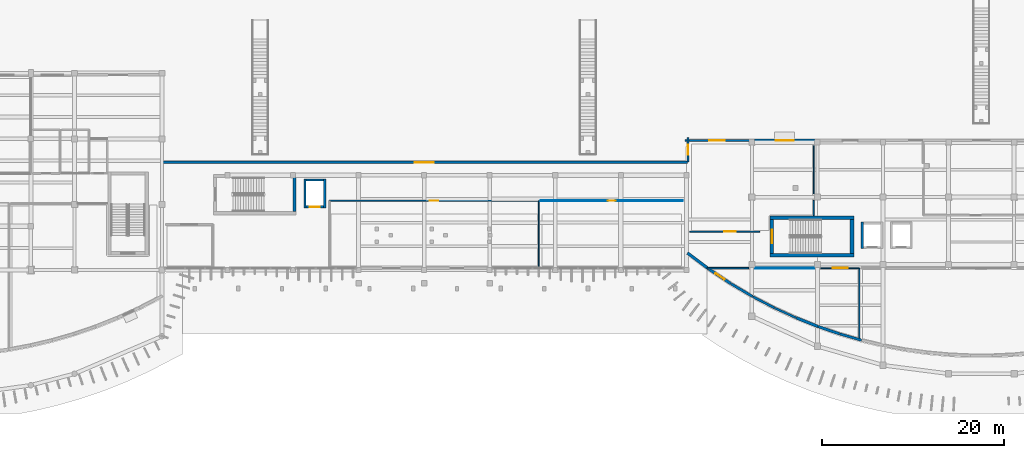
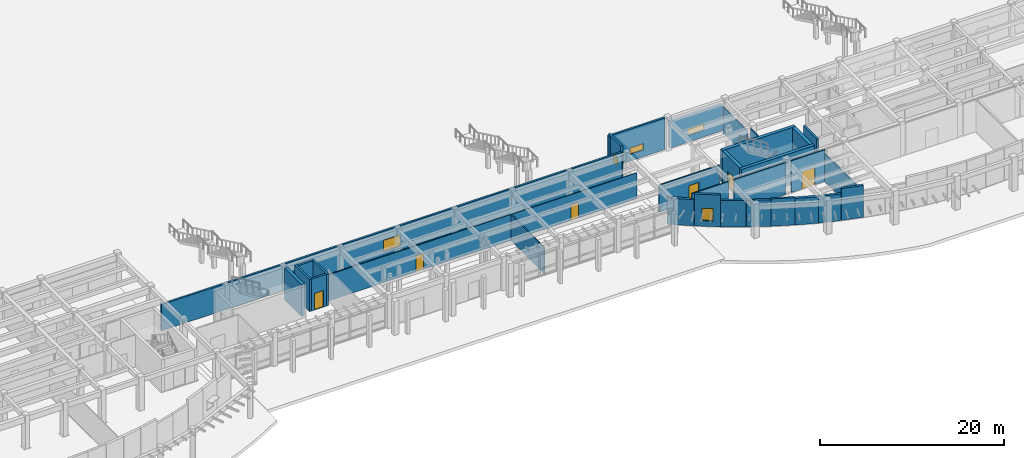
# One storey, part 31 of 58: 32 walls, 6 doors, 5 windows, 11 openings.
"""IFC4 building model written with IfcOpenShell, lengths in metres."""

import ifcopenshell
import ifcopenshell.guid

model = None  # the IFC model being written
_history = None  # IfcOwnerHistory: only IFC2X3 demands one
_inside = {}  # id of a spatial element -> (the spatial element, [elements in it])
_under = {}  # id of a project, library or spatial element -> (it, [spatial elements below it])
_declared = {}  # id of a project -> (the project, [libraries it declares])
_typed = {}  # id of a type object -> (the type object, [elements of that type])
_made_of = {}  # id of a material, layer set ... -> (it, [elements and type objects made of it])


def new_model(schema):
    """Start an empty IFC model of exactly this schema.

    Asked for "IFC4X3", IfcOpenShell would pick the latest addendum, in which some entities
    have other attributes; the version numbers below select the first issue.
    IFC2X3 requires an IfcOwnerHistory on every rooted entity: one is made here for all.
    """
    global model, _history
    if schema == "IFC4X3":
        model = ifcopenshell.file(schema_version=(4, 3, 0, 0))
    else:
        model = ifcopenshell.file(schema=schema)
    _inside.clear()
    _under.clear()
    _declared.clear()
    _typed.clear()
    _made_of.clear()
    _history = None
    if model.schema == "IFC2X3":
        org = make("IfcOrganization", Name="unknown")
        user = make(
            "IfcPersonAndOrganization",
            ThePerson=make("IfcPerson", FamilyName="unknown"),
            TheOrganization=org,
        )
        app = make(
            "IfcApplication",
            ApplicationDeveloper=org,
            Version="unknown",
            ApplicationFullName="unknown",
            ApplicationIdentifier="unknown",
        )
        _history = make(
            "IfcOwnerHistory",
            OwningUser=user,
            OwningApplication=app,
            ChangeAction="ADDED",
            CreationDate=0,
        )
    return model


def make(cls, **values):
    """One entity of the class cls with the attributes given. An attribute that is None is left unset."""
    return model.create_entity(
        cls, **{name: value for name, value in values.items() if value is not None}
    )


def rooted(cls, **values):
    """An entity with a GlobalId (a new one), such as an element, a storey or a relation."""
    return make(cls, GlobalId=ifcopenshell.guid.new(), OwnerHistory=_history, **values)


def si_unit(unit_type, name, prefix=None):
    """IfcSIUnit, for example si_unit("LENGTHUNIT", "METRE", prefix="MILLI")."""
    return make("IfcSIUnit", UnitType=unit_type, Prefix=prefix, Name=name)


def assignment(units):
    """IfcUnitAssignment: the units of a project."""
    return None if units is None else make("IfcUnitAssignment", Units=units)


def point(xyz):
    """IfcCartesianPoint."""
    return None if xyz is None else make("IfcCartesianPoint", Coordinates=xyz)


def direction(xyz):
    """IfcDirection."""
    return None if xyz is None else make("IfcDirection", DirectionRatios=xyz)


def frame(location, z_axis=None, x_axis=None):
    """IfcAxis2Placement3D, a coordinate frame: its origin and axes. An axis left out is left unset."""
    return make(
        "IfcAxis2Placement3D",
        Location=point(location),
        Axis=direction(z_axis),
        RefDirection=direction(x_axis),
    )


def frame_2d(location, x_axis=None):
    """IfcAxis2Placement2D, a coordinate frame in the plane: its origin and x axis."""
    return make(
        "IfcAxis2Placement2D", Location=point(location), RefDirection=direction(x_axis)
    )


def origin():
    """The frame at (0, 0, 0) with its axes left unset."""
    return frame((0.0, 0.0, 0.0))


def place(relative_to, where):
    """IfcLocalPlacement: puts the frame where relative to a parent placement (None: the world)."""
    return make(
        "IfcLocalPlacement", PlacementRelTo=relative_to, RelativePlacement=where
    )


def context(
    kind, dimensions, precision=None, world=None, true_north=None, identifier=None
):
    """IfcGeometricRepresentationContext, for example the 3D "Model" context."""
    return make(
        "IfcGeometricRepresentationContext",
        ContextIdentifier=identifier,
        ContextType=kind,
        CoordinateSpaceDimension=dimensions,
        Precision=precision,
        WorldCoordinateSystem=world,
        TrueNorth=true_north,
    )


def subcontext(parent, identifier, kind, view, scale=None):
    """IfcGeometricRepresentationSubContext, for example "Body" below "Model"."""
    return make(
        "IfcGeometricRepresentationSubContext",
        ContextIdentifier=identifier,
        ContextType=kind,
        ParentContext=parent,
        TargetScale=scale,
        TargetView=view,
    )


def project(units=None, contexts=None):
    """IfcProject with its units and contexts."""
    return rooted(
        "IfcProject",
        Name="project",
        RepresentationContexts=contexts,
        UnitsInContext=assignment(units),
    )


def spatial(cls, under=None, at=None, **own):
    """A site, building, storey or space (cls), placed at a placement, below another one or the project."""
    s = rooted(cls, ObjectPlacement=at, **own)
    if under is not None:
        _under.setdefault(under.id(), (under, []))[1].append(s)
    return s


def profile(cls, at=None, kind="AREA", **sizes):
    """A parametric profile (cls). Its sizes go by their IFC names, for example OverallWidth=200.0."""
    return make(cls, ProfileType=kind, Position=at, **sizes)


def rectangle(**sizes):
    """IfcRectangleProfileDef."""
    return profile("IfcRectangleProfileDef", **sizes)


def extrude(swept, where, along, depth):
    """IfcExtrudedAreaSolid: the profile swept, set in the frame where, extruded along a direction by depth."""
    return make(
        "IfcExtrudedAreaSolid",
        SweptArea=swept,
        Position=where,
        ExtrudedDirection=direction(along),
        Depth=depth,
    )


def shape(context_of_items, identifier, shape_type, items):
    """IfcShapeRepresentation: the items that make up one representation, for example the "Body"."""
    return make(
        "IfcShapeRepresentation",
        ContextOfItems=context_of_items,
        RepresentationIdentifier=identifier,
        RepresentationType=shape_type,
        Items=items,
    )


def material(Name=None, Category=None):
    """IfcMaterial."""
    return make("IfcMaterial", Name=Name, Category=Category)


def layer(
    of_material, thickness, ventilated=None, Name=None, Category=None, Priority=None
):
    """IfcMaterialLayer: one layer of a wall or slab, of a material (None: an air gap)."""
    return make(
        "IfcMaterialLayer",
        Material=of_material,
        LayerThickness=thickness,
        IsVentilated=ventilated,
        Name=Name,
        Category=Category,
        Priority=Priority,
    )


def layer_set(layers, Name=None):
    """IfcMaterialLayerSet."""
    return make("IfcMaterialLayerSet", MaterialLayers=layers, LayerSetName=Name)


def made_of(thing, what):
    """Note that an element or type object is made of a material, layer set ...; save() writes the relation."""
    if what is not None:
        _made_of.setdefault(what.id(), (what, []))[1].append(thing)
    return thing


def type_object(cls, material=None, **own):
    """A type object (cls), such as IfcWallType, which elements share."""
    return made_of(rooted(cls, **own), material)


def element(
    cls,
    number,
    at=None,
    inside=None,
    cuts=None,
    type_object=None,
    material=None,
    context=None,
    identifier="Body",
    shape_type=None,
    held_by="IfcProductDefinitionShape",
    body=None,
    shapes=None,
    **own,
):
    """One element of the class cls, such as IfcWall. Its Tag is "e" and its number.

    at: its placement. inside: the storey or other place that contains it. cuts: it is an
    opening in that element (IfcRelVoidsElement). A single representation is given by context,
    identifier, shape_type and body (its items); several are given by shapes. held_by: the class
    of the entity that holds the representations. save() writes the other relations.
    """
    e = rooted(cls, Tag="e%d" % number, ObjectPlacement=at, **own)
    if body is not None:
        shapes = [shape(context, identifier, shape_type, body)]
    if shapes is not None:
        e.Representation = make(held_by, Representations=shapes)
    if inside is not None:
        _inside.setdefault(inside.id(), (inside, []))[1].append(e)
    if cuts is not None:
        rooted(
            "IfcRelVoidsElement", RelatingBuildingElement=cuts, RelatedOpeningElement=e
        )
    if type_object is not None:
        _typed.setdefault(type_object.id(), (type_object, []))[1].append(e)
    return made_of(e, material)


def fill(opening, filler):
    """IfcRelFillsElement: the door or window that sits in an opening."""
    return rooted(
        "IfcRelFillsElement",
        RelatingOpeningElement=opening,
        RelatedBuildingElement=filler,
    )


def aggregate(whole, parts):
    """IfcRelAggregates: a whole, such as a stair, and the parts it consists of."""
    return rooted("IfcRelAggregates", RelatingObject=whole, RelatedObjects=parts)


def save(model, path):
    """Write the relations noted so far, then the file.

    IfcRelAggregates (storeys below a building ...), IfcRelContainedInSpatialStructure (elements
    in a storey), IfcRelDefinesByType, IfcRelAssociatesMaterial and IfcRelDeclares: one each for
    every whole, place, type object, material and project.
    """
    for whole, parts in _under.values():
        aggregate(whole, parts)
    for where, things in _inside.values():
        rooted(
            "IfcRelContainedInSpatialStructure",
            RelatedElements=things,
            RelatingStructure=where,
        )
    for kind, things in _typed.values():
        rooted("IfcRelDefinesByType", RelatedObjects=things, RelatingType=kind)
    for what, things in _made_of.values():
        rooted("IfcRelAssociatesMaterial", RelatedObjects=things, RelatingMaterial=what)
    for by, libraries in _declared.values():
        rooted("IfcRelDeclares", RelatingContext=by, RelatedDefinitions=libraries)
    model.write(path)


model = new_model("IFC4")

# Units and contexts
model_context = context("Model", 3, precision=1e-05, world=origin(), true_north=direction((0.0, 1.0)))
body_context = subcontext(model_context, "Body", "Model", "MODEL_VIEW")
ifc_project = project(units=[si_unit("LENGTHUNIT", "METRE"), si_unit("AREAUNIT", "SQUARE_METRE"), si_unit("VOLUMEUNIT", "CUBIC_METRE"), si_unit("PLANEANGLEUNIT", "RADIAN"), si_unit("MASSUNIT", "GRAM", prefix="KILO")], contexts=[model_context])

# Site, building, storey
site_placement = place(None, origin())
site = spatial("IfcSite", under=ifc_project, at=site_placement, CompositionType="ELEMENT")
building_placement = place(site_placement, origin())
building = spatial("IfcBuilding", under=site, at=building_placement, Name="Brisavento Harbour Community Centre", CompositionType="ELEMENT")
storey_placement = place(building_placement, origin())
storey = spatial("IfcBuildingStorey", under=building, at=storey_placement, Name="L00", CompositionType="ELEMENT", Elevation=0.0)

# Walls
ifc_material_1 = material(Name="Concrete C40/50", Category="concrete")
ifc_layer_1 = layer(ifc_material_1, 0.35009765625, Name="Concrete C40/50")
ifc_layer_set_1 = layer_set([ifc_layer_1], Name="Concrete C40/50")
wall_type_1 = type_object("IfcWallType", Name="WL-CORE-350", PredefinedType="SHEAR", material=ifc_layer_set_1)
wall_1_placement = place(storey_placement, frame((64.97509765625, 20.800048828125, 0.0), z_axis=(0.0, 0.0, 1.0), x_axis=(0.0, 1.0, 0.0)))
element("IfcWall", 1, at=wall_1_placement, inside=storey, type_object=wall_type_1, Name="L00 core C2 shear wall F", PredefinedType="SHEAR", context=body_context, shape_type="SweptSolid", body=[
    extrude(rectangle(XDim=3.75, YDim=0.35009765625, at=frame_2d((1.875, 0.0))), origin(), (0.0, 0.0, 1.0), 4.239990234375),
])
ifc_layer_2 = layer(ifc_material_1, 0.39990234375, Name="Concrete C40/50")
ifc_layer_set_2 = layer_set([ifc_layer_2], Name="Concrete C40/50")
wall_type_2 = type_object("IfcWallType", Name="WL-CORE-400", PredefinedType="SHEAR", material=ifc_layer_set_2)
for number, where, z_axis, x_axis, name in (
    (2, (117.199951171875, 16.0, 0.0), (0.0, 0.0, 1.0), (1.0, 0.0, 0.0), "L00 core C3A shear wall L"),
    (3, (126.39990234375, 20.14990234375, 0.0), (0.0, 0.0, 1.0), (-1.0, 0.0, 0.0), "L00 core C3A shear wall R"),
):
    element("IfcWall", number, at=place(storey_placement, frame(where, z_axis=z_axis, x_axis=x_axis)), inside=storey, type_object=wall_type_2, Name=name, PredefinedType="SHEAR", context=body_context, shape_type="SweptSolid", body=[
        extrude(rectangle(XDim=9.199951171875, YDim=0.39990234375, at=frame_2d((4.60009765625, 0.0))), origin(), (0.0, 0.0, 1.0), 4.239990234375),
    ])
wall_2_placement = place(storey_placement, frame((126.199951171875, 16.199951171875, 0.0), z_axis=(0.0, 0.0, 1.0), x_axis=(0.0, 1.0, 0.0)))
element("IfcWall", 4, at=wall_2_placement, inside=storey, type_object=wall_type_2, Name="L00 core C3A shear wall F", PredefinedType="SHEAR", context=body_context, shape_type="SweptSolid", body=[
    extrude(rectangle(XDim=3.75, YDim=0.39990234375, at=frame_2d((1.875, 0.0))), origin(), (0.0, 0.0, 1.0), 4.239990234375),
])

# Wall, opening, door
wall_3_placement = place(storey_placement, frame((117.39990234375, 16.199951171875, 0.0), z_axis=(0.0, 0.0, 1.0), x_axis=(0.0, 1.0, 0.0)))
wall_3 = element("IfcWall", 5, at=wall_3_placement, inside=storey, type_object=wall_type_2, Name="L00 core C3A shear wall N", PredefinedType="SHEAR", context=body_context, shape_type="SweptSolid", body=[
    extrude(rectangle(XDim=3.75, YDim=0.39990234375, at=frame_2d((1.875, 0.0))), origin(), (0.0, 0.0, 1.0), 4.239990234375),
])
opening_1_placement = place(wall_3_placement, frame((1.125, 0.0, 0.0)))
opening_1 = element("IfcOpeningElement", 6, at=opening_1_placement, cuts=wall_3, Name="Opening SD-01", PredefinedType="OPENING", context=body_context, shape_type="SweptSolid", body=[
    extrude(rectangle(XDim=1.5, YDim=2.199951171875, at=frame_2d((0.75, 1.10009765625))), frame((0.0, 0.2099609375, 0.0), z_axis=(0.0, -1.0, 0.0), x_axis=(1.0, 0.0, 0.0)), (0.0, 0.0, 1.0), 0.419921875),
])
ifc_material_2 = material(Name="Fire-rated steel door assembly", Category="steel")
door_type_1 = type_object("IfcDoorType", Name="DR-STAIR-150x220", OperationType="NOTDEFINED", PredefinedType="DOOR", material=ifc_material_2)
door_1_placement = place(opening_1_placement, origin())
door_1 = element("IfcDoor", 7, at=door_1_placement, inside=storey, type_object=door_type_1, Name="L00 exit stair ST-04 fire door", OperationType="SINGLE_SWING_RIGHT", OverallHeight=2.199951171875, OverallWidth=1.5, PredefinedType="DOOR", context=body_context, shape_type="SweptSolid", body=[
    extrude(rectangle(XDim=1.5, YDim=2.199951171875, at=frame_2d((0.75, 1.10009765625))), frame((0.0, 0.02490234375, 0.0), z_axis=(0.0, -1.0, 0.0), x_axis=(1.0, 0.0, 0.0)), (0.0, 0.0, 1.0), 0.050048828125),
])
fill(opening_1, door_1)

# Wall, opening, window
ifc_material_3 = material(Name="Terracotta masonry unit", Category="masonry")
ifc_layer_3 = layer(ifc_material_3, 0.239990234375, Name="Terracotta masonry unit")
ifc_layer_set_3 = layer_set([ifc_layer_3], Name="Terracotta masonry unit")
wall_type_3 = type_object("IfcWallType", Name="WL-EXT-240", PredefinedType="SOLIDWALL", material=ifc_layer_set_3)
wall_4_placement = place(storey_placement, frame((50.25, 26.219970703125, 0.0), z_axis=(0.0, 0.0, 1.0), x_axis=(1.0, 0.0, 0.0)))
wall_4 = element("IfcWall", 8, at=wall_4_placement, inside=storey, type_object=wall_type_3, Name="L00 V2 exterior wall 0103", PredefinedType="SOLIDWALL", context=body_context, shape_type="SweptSolid", body=[
    extrude(rectangle(XDim=57.89990234375, YDim=0.239990234375, at=frame_2d((28.949951171875, 0.0))), origin(), (0.0, 0.0, 1.0), 3.47998046875),
])
opening_2_placement = place(wall_4_placement, frame((27.89990234375, 0.0, 0.75)))
opening_2 = element("IfcOpeningElement", 9, at=opening_2_placement, cuts=wall_4, Name="Opening W-17", PredefinedType="OPENING", context=body_context, shape_type="SweptSolid", body=[
    extrude(rectangle(XDim=2.10009765625, YDim=1.5, at=frame_2d((1.050048828125, 0.75))), frame((0.0, 0.1298828125, 0.0), z_axis=(0.0, -1.0, 0.0), x_axis=(1.0, 0.0, 0.0)), (0.0, 0.0, 1.0), 0.260009765625),
])
ifc_material_4 = material(Name="Solar-control laminated low-E glass", Category="glass")
window_type_1 = type_object("IfcWindowType", Name="WIN-CAS-17", PartitioningType="SINGLE_PANEL", PredefinedType="WINDOW", material=ifc_material_4)
window_1_placement = place(opening_2_placement, origin())
window_1 = element("IfcWindow", 10, at=window_1_placement, inside=storey, type_object=window_type_1, Name="L00 V2 impact casement window 0017", OverallHeight=1.5, OverallWidth=2.10009765625, PartitioningType="SINGLE_PANEL", PredefinedType="WINDOW", context=body_context, shape_type="SweptSolid", body=[
    extrude(rectangle(XDim=2.10009765625, YDim=1.5, at=frame_2d((1.050048828125, 0.75))), frame((0.0, 0.030029296875, 0.0), z_axis=(0.0, -1.0, 0.0), x_axis=(1.0, 0.0, 0.0)), (0.0, 0.0, 1.0), 0.06005859375),
])
fill(opening_2, window_1)

# Wall
wall_5_placement = place(storey_placement, frame((120.058349609375, 9.139892578125, 0.0), z_axis=(0.0, 0.0, 1.0), x_axis=(-0.90959706885, 0.415491482873, 0.0)))
element("IfcWall", 11, at=wall_5_placement, inside=storey, type_object=wall_type_3, Name="L00 V3 exterior wall 0108", PredefinedType="SOLIDWALL", context=body_context, shape_type="SweptSolid", body=[
    extrude(rectangle(XDim=2.6025390625, YDim=0.239990234375, at=frame_2d((1.30126953125, 0.0))), origin(), (0.0, 0.0, 1.0), 3.639892578125),
])

# Wall, opening, window
wall_6_placement = place(storey_placement, frame((107.85009765625, 28.6201171875, 0.0), z_axis=(0.0, 0.0, 1.0), x_axis=(1.0, 0.0, 0.0)))
wall_6 = element("IfcWall", 12, at=wall_6_placement, inside=storey, type_object=wall_type_3, Name="L00 V3 exterior wall 0133", PredefinedType="SOLIDWALL", context=body_context, shape_type="SweptSolid", body=[
    extrude(rectangle(XDim=7.06494140625, YDim=0.239990234375, at=frame_2d((3.532470703125, 0.0))), origin(), (0.0, 0.0, 1.0), 4.239990234375),
])
opening_3_placement = place(wall_6_placement, frame((2.6826171875, 0.0, 0.89990234375)))
opening_3 = element("IfcOpeningElement", 13, at=opening_3_placement, cuts=wall_6, Name="Opening W-35", PredefinedType="OPENING", context=body_context, shape_type="SweptSolid", body=[
    extrude(rectangle(XDim=1.699951171875, YDim=0.85009765625, at=frame_2d((0.85009765625, 0.425048828125))), frame((0.0, 0.1298828125, 0.0), z_axis=(0.0, -1.0, 0.0), x_axis=(1.0, 0.0, 0.0)), (0.0, 0.0, 1.0), 0.260009765625),
])
window_type_2 = type_object("IfcWindowType", Name="WIN-CAS-35", PartitioningType="SINGLE_PANEL", PredefinedType="WINDOW", material=ifc_material_4)
window_2_placement = place(opening_3_placement, origin())
window_2 = element("IfcWindow", 14, at=window_2_placement, inside=storey, type_object=window_type_2, Name="L00 V3 impact casement window 0035", OverallHeight=0.85009765625, OverallWidth=1.699951171875, PartitioningType="SINGLE_PANEL", PredefinedType="WINDOW", context=body_context, shape_type="SweptSolid", body=[
    extrude(rectangle(XDim=1.699951171875, YDim=0.85009765625, at=frame_2d((0.85009765625, 0.425048828125))), frame((0.0, 0.030029296875, 0.0), z_axis=(0.0, -1.0, 0.0), x_axis=(1.0, 0.0, 0.0)), (0.0, 0.0, 1.0), 0.06005859375),
])
fill(opening_3, window_2)

# Wall
ifc_layer_4 = layer(ifc_material_3, 0.260009765625, Name="Terracotta masonry unit")
ifc_layer_set_4 = layer_set([ifc_layer_4], Name="Terracotta masonry unit")
wall_type_4 = type_object("IfcWallType", Name="WL-EXT-260", PredefinedType="SOLIDWALL", material=ifc_layer_set_4)
wall_7_placement = place(storey_placement, frame((117.6669921875, 10.23291015625, 0.0), z_axis=(0.0, 0.0, 1.0), x_axis=(-0.887010077413, 0.461750065044, 0.0)))
element("IfcWall", 15, at=wall_7_placement, inside=storey, type_object=wall_type_4, Name="L00 V3 exterior wall 0107", PredefinedType="SOLIDWALL", context=body_context, shape_type="SweptSolid", body=[
    extrude(rectangle(XDim=2.66943359375, YDim=0.260009765625, at=frame_2d((1.334716796875, 0.0))), origin(), (0.0, 0.0, 1.0), 3.5400390625),
])

# Wall, opening, window
wall_8_placement = place(storey_placement, frame((108.179931640625, 26.25, 0.0), z_axis=(0.0, 0.0, 1.0), x_axis=(0.0, 1.0, 0.0)))
wall_8 = element("IfcWall", 16, at=wall_8_placement, inside=storey, type_object=wall_type_4, Name="L00 V3 exterior wall 0142", PredefinedType="SOLIDWALL", context=body_context, shape_type="SweptSolid", body=[
    extrude(rectangle(XDim=2.699951171875, YDim=0.260009765625, at=frame_2d((1.35009765625, 0.0))), origin(), (0.0, 0.0, 1.0), 4.239990234375),
])
opening_4_placement = place(wall_8_placement, frame((0.824951171875, 0.0, 0.89990234375)))
opening_4 = element("IfcOpeningElement", 17, at=opening_4_placement, cuts=wall_8, Name="Opening W-02", PredefinedType="OPENING", context=body_context, shape_type="SweptSolid", body=[
    extrude(rectangle(XDim=1.050048828125, YDim=1.199951171875, at=frame_2d((0.52490234375, 0.60009765625))), frame((0.0, 0.14013671875, 0.0), z_axis=(0.0, -1.0, 0.0), x_axis=(1.0, 0.0, 0.0)), (0.0, 0.0, 1.0), 0.280029296875),
])
window_type_3 = type_object("IfcWindowType", Name="WIN-CAS-02", PartitioningType="SINGLE_PANEL", PredefinedType="WINDOW", material=ifc_material_4)
window_3_placement = place(opening_4_placement, origin())
window_3 = element("IfcWindow", 18, at=window_3_placement, inside=storey, type_object=window_type_3, Name="L00 V3 impact casement window 0038", OverallHeight=1.199951171875, OverallWidth=1.050048828125, PartitioningType="SINGLE_PANEL", PredefinedType="WINDOW", context=body_context, shape_type="SweptSolid", body=[
    extrude(rectangle(XDim=1.050048828125, YDim=1.199951171875, at=frame_2d((0.52490234375, 0.60009765625))), frame((0.0, 0.030029296875, 0.0), z_axis=(0.0, -1.0, 0.0), x_axis=(1.0, 0.0, 0.0)), (0.0, 0.0, 1.0), 0.06005859375),
])
fill(opening_4, window_3)

# Walls
ifc_material_5 = material(Name="Precast concrete C40/50", Category="concrete")
ifc_layer_5 = layer(ifc_material_5, 0.280029296875, Name="Precast concrete C40/50")
ifc_layer_set_5 = layer_set([ifc_layer_5], Name="Precast concrete C40/50")
wall_type_5 = type_object("IfcWallType", Name="WL-EXT-280", PredefinedType="SOLIDWALL", material=ifc_layer_set_5)
wall_9_placement = place(storey_placement, frame((115.27587890625, 11.478515625, 0.0), z_axis=(0.0, 0.0, 1.0), x_axis=(-0.861415701697, 0.507900569866, 0.0)))
element("IfcWall", 19, at=wall_9_placement, inside=storey, type_object=wall_type_5, Name="L00 V3 exterior wall 0106", PredefinedType="SOLIDWALL", context=body_context, shape_type="SweptSolid", body=[
    extrude(rectangle(XDim=2.75, YDim=0.280029296875, at=frame_2d((1.375, 0.0))), origin(), (0.0, 0.0, 1.0), 3.5400390625),
])
wall_10_placement = place(storey_placement, frame((127.232666015625, 6.681396484375, 0.0), z_axis=(0.0, 0.0, 1.0), x_axis=(-0.960873855282, 0.276986343049, 0.0)))
element("IfcWall", 20, at=wall_10_placement, inside=storey, type_object=wall_type_5, Name="L00 V3 exterior wall 0111", PredefinedType="SOLIDWALL", context=body_context, shape_type="SweptSolid", body=[
    extrude(rectangle(XDim=2.4619140625, YDim=0.280029296875, at=frame_2d((1.23095703125, 0.0))), origin(), (0.0, 0.0, 1.0), 4.239990234375),
])

# Wall, opening, window
ifc_material_6 = material(Name="Concrete C35/45", Category="concrete")
ifc_layer_6 = layer(ifc_material_6, 0.300048828125, Name="Concrete C35/45")
ifc_layer_set_6 = layer_set([ifc_layer_6], Name="Concrete C35/45")
wall_type_6 = type_object("IfcWallType", Name="WL-EXT-300", PredefinedType="SOLIDWALL", material=ifc_layer_set_6)
wall_11_placement = place(storey_placement, frame((112.884765625, 12.888916015625, 0.0), z_axis=(0.0, 0.0, 1.0), x_axis=(-0.83248539698, 0.55404698701, 0.0)))
wall_11 = element("IfcWall", 21, at=wall_11_placement, inside=storey, type_object=wall_type_6, Name="L00 V3 exterior wall 0105", PredefinedType="SOLIDWALL", context=body_context, shape_type="SweptSolid", body=[
    extrude(rectangle(XDim=2.846923828125, YDim=0.300048828125, at=frame_2d((1.42333984375, 0.0))), origin(), (0.0, 0.0, 1.0), 4.239990234375),
])
opening_5_placement = place(wall_11_placement, frame((0.823486328125, 0.0, 0.75)))
opening_5 = element("IfcOpeningElement", 22, at=opening_5_placement, cuts=wall_11, Name="Opening W-19", PredefinedType="OPENING", context=body_context, shape_type="SweptSolid", body=[
    extrude(rectangle(XDim=1.199951171875, YDim=1.64990234375, at=frame_2d((0.60009765625, 0.824951171875))), frame((0.0, 0.16015625, 0.0), z_axis=(0.0, -1.0, 0.0), x_axis=(1.0, 0.0, 0.0)), (0.0, 0.0, 1.0), 0.320068359375),
])
window_type_4 = type_object("IfcWindowType", Name="WIN-CAS-19", PartitioningType="SINGLE_PANEL", PredefinedType="WINDOW", material=ifc_material_4)
window_4_placement = place(opening_5_placement, origin())
window_4 = element("IfcWindow", 23, at=window_4_placement, inside=storey, type_object=window_type_4, Name="L00 V3 impact casement window 0019", OverallHeight=1.64990234375, OverallWidth=1.199951171875, PartitioningType="SINGLE_PANEL", PredefinedType="WINDOW", context=body_context, shape_type="SweptSolid", body=[
    extrude(rectangle(XDim=1.199951171875, YDim=1.64990234375, at=frame_2d((0.60009765625, 0.824951171875))), frame((0.0, 0.030029296875, 0.0), z_axis=(0.0, -1.0, 0.0), x_axis=(1.0, 0.0, 0.0)), (0.0, 0.0, 1.0), 0.06005859375),
])
fill(opening_5, window_4)

# Walls
wall_12_placement = place(storey_placement, frame((124.84130859375, 7.371337890625, 0.0), z_axis=(0.0, 0.0, 1.0), x_axis=(-0.94636369284, 0.323103328478, 0.0)))
element("IfcWall", 24, at=wall_12_placement, inside=storey, type_object=wall_type_6, Name="L00 V3 exterior wall 0110", PredefinedType="SOLIDWALL", context=body_context, shape_type="SweptSolid", body=[
    extrude(rectangle(XDim=2.500244140625, YDim=0.300048828125, at=frame_2d((1.25, 0.0))), origin(), (0.0, 0.0, 1.0), 3.5400390625),
])
ifc_layer_7 = layer(ifc_material_6, 0.320068359375, Name="Concrete C35/45")
ifc_layer_set_7 = layer_set([ifc_layer_7], Name="Concrete C35/45")
wall_type_7 = type_object("IfcWallType", Name="WL-EXT-320", PredefinedType="SOLIDWALL", material=ifc_layer_set_7)
wall_13_placement = place(storey_placement, frame((110.49365234375, 14.481201171875, 0.0), z_axis=(0.0, 0.0, 1.0), x_axis=(-0.799792449124, 0.600276634831, 0.0)))
element("IfcWall", 25, at=wall_13_placement, inside=storey, type_object=wall_type_7, Name="L00 V3 exterior wall 0104", PredefinedType="SOLIDWALL", context=body_context, shape_type="SweptSolid", body=[
    extrude(rectangle(XDim=2.96484375, YDim=0.320068359375, at=frame_2d((1.482421875, 0.0))), origin(), (0.0, 0.0, 1.0), 3.489990234375),
])
wall_14_placement = place(storey_placement, frame((122.44970703125, 8.188720703125, 0.0), z_axis=(0.0, 0.0, 1.0), x_axis=(-0.929274561032, 0.369389753808, 0.0)))
element("IfcWall", 26, at=wall_14_placement, inside=storey, type_object=wall_type_7, Name="L00 V3 exterior wall 0109", PredefinedType="SOLIDWALL", context=body_context, shape_type="SweptSolid", body=[
    extrude(rectangle(XDim=2.546630859375, YDim=0.320068359375, at=frame_2d((1.2734375, 0.0))), origin(), (0.0, 0.0, 1.0), 3.5400390625),
])

# Wall, opening, window
wall_15_placement = place(storey_placement, frame((115.485107421875, 28.6201171875, 0.0), z_axis=(0.0, 0.0, 1.0), x_axis=(1.0, 0.0, 0.0)))
wall_15 = element("IfcWall", 27, at=wall_15_placement, inside=storey, type_object=wall_type_7, Name="L00 V3 exterior wall 0134", PredefinedType="SOLIDWALL", context=body_context, shape_type="SweptSolid", body=[
    extrude(rectangle(XDim=6.6298828125, YDim=0.320068359375, at=frame_2d((3.31494140625, 0.0))), origin(), (0.0, 0.0, 1.0), 3.5400390625),
])
opening_6_placement = place(wall_15_placement, frame((2.31494140625, 0.0, 0.89990234375)))
opening_6 = element("IfcOpeningElement", 28, at=opening_6_placement, cuts=wall_15, Name="Opening W-36", PredefinedType="OPENING", context=body_context, shape_type="SweptSolid", body=[
    extrude(rectangle(XDim=2.0, YDim=0.85009765625, at=frame_2d((1.0, 0.425048828125))), frame((0.0, 0.169921875, 0.0), z_axis=(0.0, -1.0, 0.0), x_axis=(1.0, 0.0, 0.0)), (0.0, 0.0, 1.0), 0.340087890625),
])
window_type_5 = type_object("IfcWindowType", Name="WIN-CAS-36", PartitioningType="SINGLE_PANEL", PredefinedType="WINDOW", material=ifc_material_4)
window_5_placement = place(opening_6_placement, origin())
window_5 = element("IfcWindow", 29, at=window_5_placement, inside=storey, type_object=window_type_5, Name="L00 V3 impact casement window 0036", OverallHeight=0.85009765625, OverallWidth=2.0, PartitioningType="SINGLE_PANEL", PredefinedType="WINDOW", context=body_context, shape_type="SweptSolid", body=[
    extrude(rectangle(XDim=2.0, YDim=0.85009765625, at=frame_2d((1.0, 0.425048828125))), frame((0.0, 0.030029296875, 0.0), z_axis=(0.0, -1.0, 0.0), x_axis=(1.0, 0.0, 0.0)), (0.0, 0.0, 1.0), 0.06005859375),
])
fill(opening_6, window_5)

# Wall, opening, door
ifc_material_7 = material(Name="Lightweight stud partition", Category="other")
ifc_layer_8 = layer(ifc_material_7, 0.10009765625, Name="Lightweight stud partition")
ifc_layer_set_8 = layer_set([ifc_layer_8], Name="Lightweight stud partition")
wall_type_8 = type_object("IfcWallType", Name="WL-PRT-100", PredefinedType="PARTITIONING", material=ifc_layer_set_8)
wall_16_placement = place(storey_placement, frame((107.60009765625, 22.0, 0.0), z_axis=(0.0, 0.0, 1.0), x_axis=(-1.0, 0.0, 0.0)))
wall_16 = element("IfcWall", 30, at=wall_16_placement, inside=storey, type_object=wall_type_8, Name="L00 Waterfront Cafe partition 0059", PredefinedType="PARTITIONING", context=body_context, shape_type="SweptSolid", body=[
    extrude(rectangle(XDim=15.60009765625, YDim=0.10009765625, at=frame_2d((7.800048828125, 0.0))), origin(), (0.0, 0.0, 1.0), 3.43994140625),
])
opening_7_placement = place(wall_16_placement, frame((7.35009765625, 0.0, 0.0)))
opening_7 = element("IfcOpeningElement", 31, at=opening_7_placement, cuts=wall_16, Name="Opening ID-11", PredefinedType="OPENING", context=body_context, shape_type="SweptSolid", body=[
    extrude(rectangle(XDim=0.89990234375, YDim=2.10009765625, at=frame_2d((0.449951171875, 1.050048828125))), frame((0.0, 0.06005859375, 0.0), z_axis=(0.0, -1.0, 0.0), x_axis=(1.0, 0.0, 0.0)), (0.0, 0.0, 1.0), 0.1201171875),
])
ifc_material_8 = material(Name="Solid-core tropical timber door", Category="wood")
door_type_2 = type_object("IfcDoorType", Name="DR-INT-090x210", OperationType="NOTDEFINED", PredefinedType="DOOR", material=ifc_material_8)
door_2_placement = place(opening_7_placement, origin())
door_2 = element("IfcDoor", 32, at=door_2_placement, inside=storey, type_object=door_type_2, Name="L00 Waterfront Cafe door 0022", OperationType="SINGLE_SWING_LEFT", OverallHeight=2.10009765625, OverallWidth=0.89990234375, PredefinedType="DOOR", context=body_context, shape_type="SweptSolid", body=[
    extrude(rectangle(XDim=0.89990234375, YDim=2.10009765625, at=frame_2d((0.449951171875, 1.050048828125))), frame((0.0, 0.02490234375, 0.0), z_axis=(0.0, -1.0, 0.0), x_axis=(1.0, 0.0, 0.0)), (0.0, 0.0, 1.0), 0.050048828125),
])
fill(opening_7, door_2)

# Walls
wall_17_placement = place(storey_placement, frame((122.034912109375, 14.60009765625, 0.0), z_axis=(0.0, 0.0, 1.0), x_axis=(-1.0, 0.0, 0.0)))
element("IfcWall", 33, at=wall_17_placement, inside=storey, type_object=wall_type_8, Name="L00 Nursery Playroom East partition 0063", PredefinedType="PARTITIONING", context=body_context, shape_type="SweptSolid", body=[
    extrude(rectangle(XDim=6.469970703125, YDim=0.10009765625, at=frame_2d((3.23486328125, 0.0))), origin(), (0.0, 0.0, 1.0), 4.239990234375),
])
ifc_material_9 = material(Name="Gypsum metal-stud partition", Category="other")
ifc_layer_9 = layer(ifc_material_9, 0.1201171875, Name="Gypsum metal-stud partition")
ifc_layer_set_9 = layer_set([ifc_layer_9], Name="Gypsum metal-stud partition")
wall_type_9 = type_object("IfcWallType", Name="WL-PRT-120", PredefinedType="PARTITIONING", material=ifc_layer_set_9)
wall_18_placement = place(storey_placement, frame((91.800048828125, 14.699951171875, 0.0), z_axis=(0.0, 0.0, 1.0), x_axis=(0.0, 1.0, 0.0)))
element("IfcWall", 34, at=wall_18_placement, inside=storey, type_object=wall_type_9, Name="L00 Civic Entrance Concourse partition 0058", PredefinedType="PARTITIONING", context=body_context, shape_type="SweptSolid", body=[
    extrude(rectangle(XDim=7.300048828125, YDim=0.1201171875, at=frame_2d((3.64990234375, 0.0))), origin(), (0.0, 0.0, 1.0), 3.47998046875),
])

# Wall, opening, door
wall_19_placement = place(storey_placement, frame((127.0, 14.60009765625, 0.0), z_axis=(0.0, 0.0, 1.0), x_axis=(-1.0, 0.0, 0.0)))
wall_19 = element("IfcWall", 35, at=wall_19_placement, inside=storey, type_object=wall_type_9, Name="L00 Nursery Playroom East partition 0062", PredefinedType="PARTITIONING", context=body_context, shape_type="SweptSolid", body=[
    extrude(rectangle(XDim=4.235107421875, YDim=0.1201171875, at=frame_2d((2.11767578125, 0.0))), origin(), (0.0, 0.0, 1.0), 4.239990234375),
])
opening_8_placement = place(wall_19_placement, frame((1.29248046875, 0.0, 0.0)))
opening_8 = element("IfcOpeningElement", 36, at=opening_8_placement, cuts=wall_19, Name="Opening ID-02", PredefinedType="OPENING", context=body_context, shape_type="SweptSolid", body=[
    extrude(rectangle(XDim=1.64990234375, YDim=2.300048828125, at=frame_2d((0.824951171875, 1.14990234375))), frame((0.0, 0.070068359375, 0.0), z_axis=(0.0, -1.0, 0.0), x_axis=(1.0, 0.0, 0.0)), (0.0, 0.0, 1.0), 0.14013671875),
])
door_type_3 = type_object("IfcDoorType", Name="DR-INT-165x230", OperationType="NOTDEFINED", PredefinedType="DOOR", material=ifc_material_8)
door_3_placement = place(opening_8_placement, origin())
door_3 = element("IfcDoor", 37, at=door_3_placement, inside=storey, type_object=door_type_3, Name="L00 Nursery Playroom East door 0024", OperationType="SINGLE_SWING_LEFT", OverallHeight=2.300048828125, OverallWidth=1.64990234375, PredefinedType="DOOR", context=body_context, shape_type="SweptSolid", body=[
    extrude(rectangle(XDim=1.64990234375, YDim=2.300048828125, at=frame_2d((0.824951171875, 1.14990234375))), frame((0.0, 0.02490234375, 0.0), z_axis=(0.0, -1.0, 0.0), x_axis=(1.0, 0.0, 0.0)), (0.0, 0.0, 1.0), 0.050048828125),
])
fill(opening_8, door_3)

# Walls
wall_20_placement = place(storey_placement, frame((122.0, 22.764892578125, 0.0), z_axis=(0.0, 0.0, 1.0), x_axis=(0.0, 1.0, 0.0)))
element("IfcWall", 38, at=wall_20_placement, inside=storey, type_object=wall_type_9, Name="L00 Family Early-Years Advisory Room partition 0078", PredefinedType="PARTITIONING", context=body_context, shape_type="SweptSolid", body=[
    extrude(rectangle(XDim=5.295166015625, YDim=0.1201171875, at=frame_2d((2.6474609375, 0.0))), origin(), (0.0, 0.0, 1.0), 3.52001953125),
])
ifc_layer_10 = layer(ifc_material_9, 0.139892578125, Name="Gypsum metal-stud partition")
ifc_layer_set_10 = layer_set([ifc_layer_10], Name="Gypsum metal-stud partition")
wall_type_10 = type_object("IfcWallType", Name="WL-PRT-140", PredefinedType="PARTITIONING", material=ifc_layer_set_10)
wall_21_placement = place(storey_placement, frame((127.0, 6.706787109375, 0.0), z_axis=(0.0, 0.0, 1.0), x_axis=(0.0, 1.0, 0.0)))
element("IfcWall", 39, at=wall_21_placement, inside=storey, type_object=wall_type_10, Name="L00 Nursery Playroom East partition 0065", PredefinedType="PARTITIONING", context=body_context, shape_type="SweptSolid", body=[
    extrude(rectangle(XDim=7.893310546875, YDim=0.139892578125, at=frame_2d((3.94677734375, 0.0))), origin(), (0.0, 0.0, 1.0), 3.719970703125),
])
wall_22_placement = place(storey_placement, frame((122.0, 20.360107421875, 0.0), z_axis=(0.0, 0.0, 1.0), x_axis=(0.0, 1.0, 0.0)))
element("IfcWall", 40, at=wall_22_placement, inside=storey, type_object=wall_type_10, Name="L00 Family Early-Years Advisory Room partition 0077", PredefinedType="PARTITIONING", context=body_context, shape_type="SweptSolid", body=[
    extrude(rectangle(XDim=1.6748046875, YDim=0.139892578125, at=frame_2d((0.83740234375, 0.0))), origin(), (0.0, 0.0, 1.0), 4.239990234375),
])

# Wall, opening, door
ifc_material_10 = material(Name="Moisture-resistant stud partition", Category="other")
ifc_layer_11 = layer(ifc_material_10, 0.14990234375, Name="Moisture-resistant stud partition")
ifc_layer_set_11 = layer_set([ifc_layer_11], Name="Moisture-resistant stud partition")
wall_type_11 = type_object("IfcWallType", Name="WL-PRT-150", PredefinedType="PARTITIONING", material=ifc_layer_set_11)
wall_23_placement = place(storey_placement, frame((91.800048828125, 22.0, 0.0), z_axis=(0.0, 0.0, 1.0), x_axis=(-1.0, 0.0, 0.0)))
wall_23 = element("IfcWall", 41, at=wall_23_placement, inside=storey, type_object=wall_type_11, Name="L00 Civic Entrance Concourse partition 0056", PredefinedType="PARTITIONING", context=body_context, shape_type="SweptSolid", body=[
    extrude(rectangle(XDim=23.0, YDim=0.14990234375, at=frame_2d((11.5, 0.0))), origin(), (0.0, 0.0, 1.0), 3.47998046875),
])
opening_9_placement = place(wall_23_placement, frame((11.02490234375, 0.0, 0.0)))
opening_9 = element("IfcOpeningElement", 42, at=opening_9_placement, cuts=wall_23, Name="Opening ID-10", PredefinedType="OPENING", context=body_context, shape_type="SweptSolid", body=[
    extrude(rectangle(XDim=0.949951171875, YDim=2.14990234375, at=frame_2d((0.47509765625, 1.074951171875))), frame((0.0, 0.0849609375, 0.0), z_axis=(0.0, -1.0, 0.0), x_axis=(1.0, 0.0, 0.0)), (0.0, 0.0, 1.0), 0.169921875),
])
door_type_4 = type_object("IfcDoorType", Name="DR-INT-095x215", OperationType="NOTDEFINED", PredefinedType="DOOR", material=ifc_material_8)
door_4_placement = place(opening_9_placement, origin())
door_4 = element("IfcDoor", 43, at=door_4_placement, inside=storey, type_object=door_type_4, Name="L00 Civic Entrance Concourse door 0021", OperationType="SINGLE_SWING_RIGHT", OverallHeight=2.14990234375, OverallWidth=0.949951171875, PredefinedType="DOOR", context=body_context, shape_type="SweptSolid", body=[
    extrude(rectangle(XDim=0.949951171875, YDim=2.14990234375, at=frame_2d((0.47509765625, 1.074951171875))), frame((0.0, 0.02490234375, 0.0), z_axis=(0.0, -1.0, 0.0), x_axis=(1.0, 0.0, 0.0)), (0.0, 0.0, 1.0), 0.050048828125),
])
fill(opening_9, door_4)

# Wall
wall_24_placement = place(storey_placement, frame((114.8349609375, 14.60009765625, 0.0), z_axis=(0.0, 0.0, 1.0), x_axis=(-1.0, 0.0, 0.0)))
element("IfcWall", 44, at=wall_24_placement, inside=storey, type_object=wall_type_11, Name="L00 Nursery Playroom East partition 0064", PredefinedType="PARTITIONING", context=body_context, shape_type="SweptSolid", body=[
    extrude(rectangle(XDim=4.566162109375, YDim=0.14990234375, at=frame_2d((2.283203125, 0.0))), origin(), (0.0, 0.0, 1.0), 4.239990234375),
])

# Wall, opening, door
wall_25_placement = place(storey_placement, frame((108.39990234375, 18.60009765625, 0.0), z_axis=(0.0, 0.0, 1.0), x_axis=(1.0, 0.0, 0.0)))
wall_25 = element("IfcWall", 45, at=wall_25_placement, inside=storey, type_object=wall_type_11, Name="L00 Family Early-Years Advisory Room partition 0076", PredefinedType="PARTITIONING", context=body_context, shape_type="SweptSolid", body=[
    extrude(rectangle(XDim=7.64013671875, YDim=0.14990234375, at=frame_2d((3.820068359375, 0.0))), origin(), (0.0, 0.0, 1.0), 3.590087890625),
])
opening_10_placement = place(wall_25_placement, frame((3.77001953125, 0.0, 0.0)))
opening_10 = element("IfcOpeningElement", 46, at=opening_10_placement, cuts=wall_25, Name="Opening ID-06", PredefinedType="OPENING", context=body_context, shape_type="SweptSolid", body=[
    extrude(rectangle(XDim=1.25, YDim=2.199951171875, at=frame_2d((0.625, 1.10009765625))), frame((0.0, 0.0849609375, 0.0), z_axis=(0.0, -1.0, 0.0), x_axis=(1.0, 0.0, 0.0)), (0.0, 0.0, 1.0), 0.169921875),
])
door_type_5 = type_object("IfcDoorType", Name="DR-INT-125x220", OperationType="NOTDEFINED", PredefinedType="DOOR", material=ifc_material_8)
door_5_placement = place(opening_10_placement, origin())
door_5 = element("IfcDoor", 47, at=door_5_placement, inside=storey, type_object=door_type_5, Name="L00 Family Early-Years Advisory Room door 0028", OperationType="SINGLE_SWING_LEFT", OverallHeight=2.199951171875, OverallWidth=1.25, PredefinedType="DOOR", context=body_context, shape_type="SweptSolid", body=[
    extrude(rectangle(XDim=1.25, YDim=2.199951171875, at=frame_2d((0.625, 1.10009765625))), frame((0.0, 0.02490234375, 0.0), z_axis=(0.0, -1.0, 0.0), x_axis=(1.0, 0.0, 0.0)), (0.0, 0.0, 1.0), 0.050048828125),
])
fill(opening_10, door_5)

# Walls
ifc_layer_12 = layer(ifc_material_6, 0.25, Name="Concrete C35/45")
ifc_layer_set_12 = layer_set([ifc_layer_12], Name="Concrete C35/45")
wall_type_12 = type_object("IfcWallType", Name="WL-SHF-250", PredefinedType="SOLIDWALL", material=ifc_layer_set_12)
wall_26_placement = place(storey_placement, frame((127.324951171875, 16.75, 0.0), z_axis=(0.0, 0.0, 1.0), x_axis=(0.0, 1.0, 0.0)))
element("IfcWall", 48, at=wall_26_placement, inside=storey, type_object=wall_type_12, Name="L00 lift LC-02 shaft wall W", PredefinedType="SOLIDWALL", context=body_context, shape_type="SweptSolid", body=[
    extrude(rectangle(XDim=2.89990234375, YDim=0.25, at=frame_2d((1.449951171875, 0.0))), origin(), (0.0, 0.0, 1.0), 4.239990234375),
])
for number, where, z_axis, x_axis, name in (
    (49, (66.125, 21.199951171875, 0.0), (0.0, 0.0, 1.0), (0.0, 1.0, 0.0), "L00 lift LC-04 shaft wall W"),
    (50, (68.27490234375, 24.39990234375, 0.0), (0.0, 0.0, 1.0), (0.0, -1.0, 0.0), "L00 lift LC-04 shaft wall E"),
):
    element("IfcWall", number, at=place(storey_placement, frame(where, z_axis=z_axis, x_axis=x_axis)), inside=storey, type_object=wall_type_12, Name=name, PredefinedType="SOLIDWALL", context=body_context, shape_type="SweptSolid", body=[
        extrude(rectangle(XDim=3.199951171875, YDim=0.25, at=frame_2d((1.60009765625, 0.0))), origin(), (0.0, 0.0, 1.0), 4.239990234375),
    ])

# Wall, opening, door
wall_27_placement = place(storey_placement, frame((66.25, 21.324951171875, 0.0), z_axis=(0.0, 0.0, 1.0), x_axis=(1.0, 0.0, 0.0)))
wall_27 = element("IfcWall", 51, at=wall_27_placement, inside=storey, type_object=wall_type_12, Name="L00 lift LC-04 shaft wall S", PredefinedType="SOLIDWALL", context=body_context, shape_type="SweptSolid", body=[
    extrude(rectangle(XDim=1.89990234375, YDim=0.25, at=frame_2d((0.949951171875, 0.0))), origin(), (0.0, 0.0, 1.0), 4.239990234375),
])
opening_11_placement = place(wall_27_placement, frame((0.39990234375, 0.0, 0.0)))
opening_11 = element("IfcOpeningElement", 52, at=opening_11_placement, cuts=wall_27, Name="Opening LD-01", PredefinedType="OPENING", context=body_context, shape_type="SweptSolid", body=[
    extrude(rectangle(XDim=1.10009765625, YDim=2.199951171875, at=frame_2d((0.550048828125, 1.10009765625))), frame((0.0, 0.135009765625, 0.0), z_axis=(0.0, -1.0, 0.0), x_axis=(1.0, 0.0, 0.0)), (0.0, 0.0, 1.0), 0.27001953125),
])
ifc_material_11 = material(Name="Stainless steel 1.4401", Category="steel")
door_type_6 = type_object("IfcDoorType", Name="DR-LIFT-110x220", OperationType="DOUBLE_DOOR_SLIDING", PredefinedType="DOOR", material=ifc_material_11)
door_6_placement = place(opening_11_placement, origin())
door_6 = element("IfcDoor", 53, at=door_6_placement, inside=storey, type_object=door_type_6, Name="L00 lift LC-04 landing sliding door", OperationType="DOUBLE_DOOR_SLIDING", OverallHeight=2.199951171875, OverallWidth=1.10009765625, PredefinedType="DOOR", context=body_context, shape_type="SweptSolid", body=[
    extrude(rectangle(XDim=1.10009765625, YDim=2.199951171875, at=frame_2d((0.550048828125, 1.10009765625))), frame((0.0, 0.02490234375, 0.0), z_axis=(0.0, -1.0, 0.0), x_axis=(1.0, 0.0, 0.0)), (0.0, 0.0, 1.0), 0.050048828125),
])
fill(opening_11, door_6)

# Wall
wall_28_placement = place(storey_placement, frame((68.14990234375, 24.27490234375, 0.0), z_axis=(0.0, 0.0, 1.0), x_axis=(-1.0, 0.0, 0.0)))
element("IfcWall", 54, at=wall_28_placement, inside=storey, type_object=wall_type_12, Name="L00 lift LC-04 shaft wall N", PredefinedType="SOLIDWALL", context=body_context, shape_type="SweptSolid", body=[
    extrude(rectangle(XDim=1.89990234375, YDim=0.25, at=frame_2d((0.949951171875, 0.0))), origin(), (0.0, 0.0, 1.0), 4.239990234375),
])

save(model, "model.ifc")
